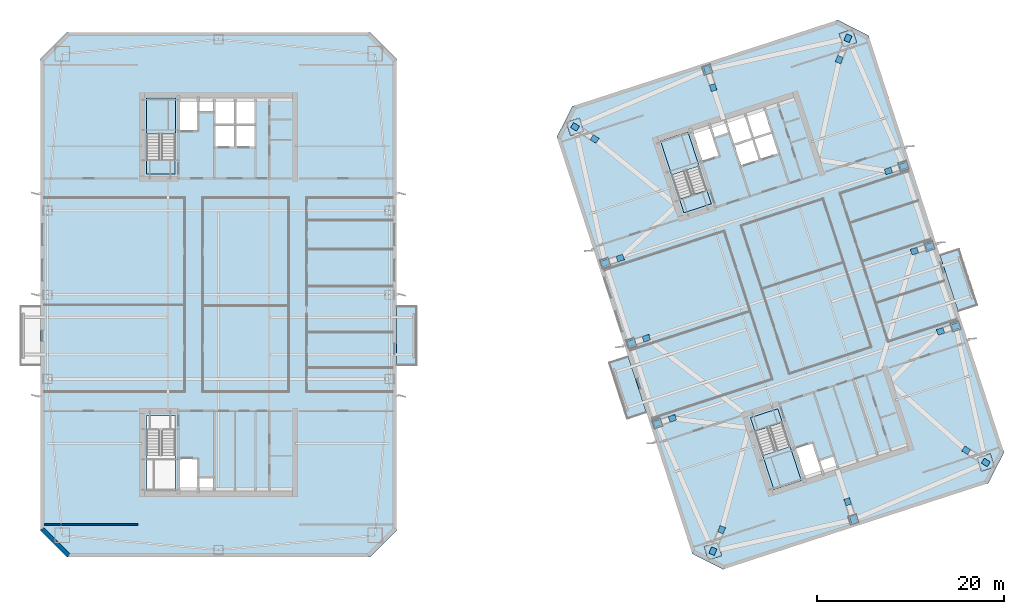
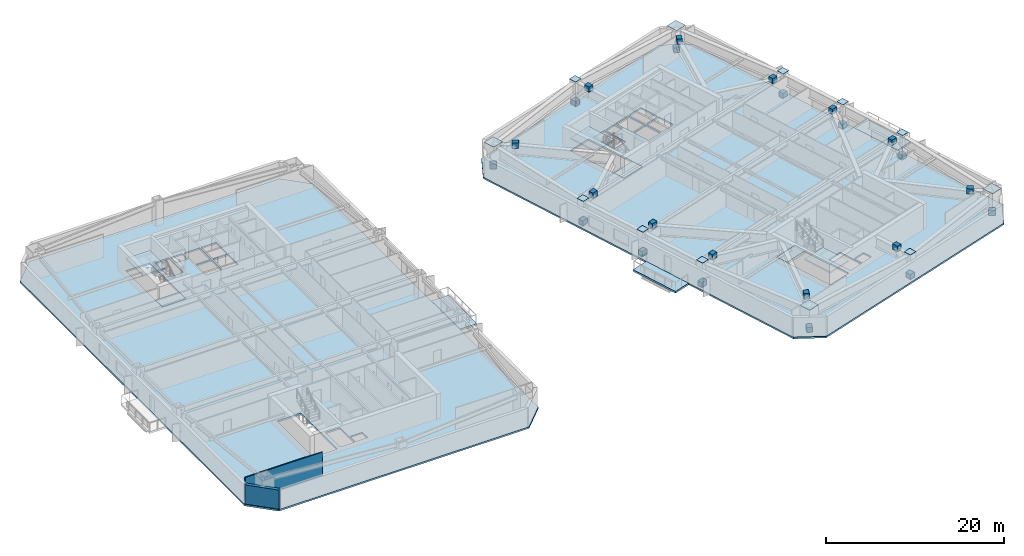
# One storey, part 4 of 17: 36 plates, 11 slabs, 2 walls, 3 elements without a shape of their own.
"""IFC4 building model written with IfcOpenShell, lengths in metres."""

from ifc_helpers import new_model, si_unit, direction, frame, frame_2d, origin, origin_2d, place, context, subcontext, project, spatial, polyline, rectangle, outline, extrude, material, layer, layer_set, type_object, element, aggregate, save


model = new_model("IFC4")

# Units and contexts
model_context = context("Model", 3, precision=1e-05, world=origin(), true_north=direction((0.0, 1.0)))
body_context = subcontext(model_context, "Body", "Model", "MODEL_VIEW")
ifc_project = project(units=[si_unit("LENGTHUNIT", "METRE"), si_unit("AREAUNIT", "SQUARE_METRE"), si_unit("VOLUMEUNIT", "CUBIC_METRE"), si_unit("PLANEANGLEUNIT", "RADIAN"), si_unit("MASSUNIT", "GRAM", prefix="KILO")], contexts=[model_context])

# Site, building, storey
site_placement = place(None, origin())
site = spatial("IfcSite", under=ifc_project, at=site_placement, CompositionType="ELEMENT")
building_placement = place(site_placement, origin())
building = spatial("IfcBuilding", under=site, at=building_placement, Name="Qiaolan Cultural Towers", CompositionType="ELEMENT")
storey_placement = place(building_placement, frame((0.0, 0.0, 131.10009765625)))
storey = spatial("IfcBuildingStorey", under=building, at=storey_placement, Name="L34", CompositionType="ELEMENT", Elevation=131.10009765625)

# Plates
ifc_material_1 = material(Name="Steel Q355B", Category="steel")
ifc_layer_1 = layer(ifc_material_1, 0.035888671875)
ifc_layer_set_1 = layer_set([ifc_layer_1], Name="Steel Q355B")
plate_type_1 = type_object("IfcPlateType", Name="PL-CONN-36", PredefinedType="USERDEFINED", material=ifc_layer_set_1)
for number, where, z_axis, x_axis, name in (
    (1, (82.79052734375, 6.611572265625, -0.0703125), (0.0, 0.0, 1.0), (0.375785890599, 0.926706514721, 0.0), "L34 Brace End Connection Gusset Plate GP-02-0100"),
    (2, (83.71875, 8.900634765625, 2.85986328125), (0.0, 0.0, 1.0), (0.375785890599, 0.926706514721, 0.0), "L34 Brace End Connection Gusset Plate GP-02-0101"),
    (3, (111.930908203125, 16.080078125, -0.0703125), (0.0, 0.0, 1.0), (-0.848721520458, 0.528840033197, 0.0), "L34 Brace End Connection Gusset Plate GP-02-0102"),
    (4, (109.834716796875, 17.38623046875, 2.85986328125), (0.0, 0.0, 1.0), (-0.848721520458, 0.528840033197, 0.0), "L34 Brace End Connection Gusset Plate GP-02-0103"),
    (5, (97.20947265625, 61.388427734375, -0.0703125), (0.0, 0.0, 1.0), (0.375785890599, 0.926706514721, 0.0), "L34 Brace End Connection Gusset Plate GP-02-0104"),
    (6, (96.28125, 59.099365234375, 2.85986328125), (0.0, 0.0, 1.0), (0.375785890599, 0.926706514721, 0.0), "L34 Brace End Connection Gusset Plate GP-02-0105"),
    (7, (68.069091796875, 51.919921875, -0.0703125), (0.0, 0.0, 1.0), (-0.848721520458, 0.528840033197, 0.0), "L34 Brace End Connection Gusset Plate GP-02-0106"),
    (8, (70.165283203125, 50.61376953125, 2.85986328125), (0.0, 0.0, 1.0), (-0.848721520458, 0.528840033197, 0.0), "L34 Brace End Connection Gusset Plate GP-02-0107"),
    (9, (76.85107421875, 20.264404296875, -0.0703125), (0.0, 0.0, 1.0), (0.951056494722, 0.309017060771, 0.0), "L34 Brace End Connection Gusset Plate GP-02-0108"),
    (10, (78.4677734375, 20.789794921875, 2.85986328125), (0.0, 0.0, 1.0), (0.951056494722, 0.309017060771, 0.0), "L34 Brace End Connection Gusset Plate GP-02-0109"),
    (11, (74.06982421875, 28.823974609375, -0.0703125), (0.0, 0.0, 1.0), (0.951056494722, 0.309017060771, 0.0), "L34 Brace End Connection Gusset Plate GP-02-0110"),
    (12, (75.6865234375, 29.349365234375, 2.85986328125), (0.0, 0.0, 1.0), (0.951056494722, 0.309017060771, 0.0), "L34 Brace End Connection Gusset Plate GP-02-0111"),
    (13, (71.28857421875, 37.383544921875, -0.0703125), (0.0, 0.0, 1.0), (0.951056494722, 0.309017060771, 0.0), "L34 Brace End Connection Gusset Plate GP-02-0112"),
    (14, (72.905517578125, 37.90869140625, 2.85986328125), (0.0, 0.0, 1.0), (0.951056494722, 0.309017060771, 0.0), "L34 Brace End Connection Gusset Plate GP-02-0113"),
    (15, (108.71142578125, 30.616455078125, -0.0703125), (0.0, 0.0, 1.0), (0.951056494722, 0.309017060771, 0.0), "L34 Brace End Connection Gusset Plate GP-02-0114"),
    (16, (107.094482421875, 30.09130859375, 2.85986328125), (0.0, 0.0, 1.0), (0.951056494722, 0.309017060771, 0.0), "L34 Brace End Connection Gusset Plate GP-02-0115"),
    (17, (105.93017578125, 39.176025390625, -0.0703125), (0.0, 0.0, 1.0), (0.951056494722, 0.309017060771, 0.0), "L34 Brace End Connection Gusset Plate GP-02-0116"),
    (18, (104.3134765625, 38.650634765625, 2.85986328125), (0.0, 0.0, 1.0), (0.951056494722, 0.309017060771, 0.0), "L34 Brace End Connection Gusset Plate GP-02-0117"),
    (19, (103.14892578125, 47.735595703125, -0.0703125), (0.0, 0.0, 1.0), (0.951056494722, 0.309017060771, 0.0), "L34 Brace End Connection Gusset Plate GP-02-0118"),
    (20, (101.5322265625, 47.210205078125, 2.85986328125), (0.0, 0.0, 1.0), (0.951056494722, 0.309017060771, 0.0), "L34 Brace End Connection Gusset Plate GP-02-0119"),
    (21, (97.802734375, 9.98583984375, -0.0703125), (0.0, 0.0, 1.0), (-0.309017010974, 0.951056510902, 0.0), "L34 Brace End Connection Gusset Plate GP-02-0120"),
    (22, (97.1845703125, 11.887939453125, 2.85986328125), (0.0, 0.0, 1.0), (-0.309017010974, 0.951056510902, 0.0), "L34 Brace End Connection Gusset Plate GP-02-0121"),
    (23, (82.197265625, 58.01416015625, -0.0703125), (0.0, 0.0, 1.0), (-0.309017010974, 0.951056510902, 0.0), "L34 Brace End Connection Gusset Plate GP-02-0122"),
    (24, (82.8154296875, 56.112060546875, 2.85986328125), (0.0, 0.0, 1.0), (-0.309017010974, 0.951056510902, 0.0), "L34 Brace End Connection Gusset Plate GP-02-0123"),
):
    element("IfcPlate", number, at=place(storey_placement, frame(where, z_axis=z_axis, x_axis=x_axis)), inside=storey, type_object=plate_type_1, Name=name, ObjectType="GUSSET_PLATE", PredefinedType="USERDEFINED", context=body_context, shape_type="SweptSolid", body=[
        extrude(rectangle(XDim=0.739990234375, YDim=0.6201171875, at=origin_2d()), origin(), (0.0, 0.0, 1.0), 0.739990234375),
    ])
ifc_material_2 = material(Name="Steel Q355B", Category="steel")
ifc_layer_2 = layer(ifc_material_2, 0.030029296875)
ifc_layer_set_2 = layer_set([ifc_layer_2], Name="Steel Q355B")
plate_type_2 = type_object("IfcPlateType", Name="PL-ENDCAP-30", PredefinedType="USERDEFINED", material=ifc_layer_set_2)
for number, where, z_axis, x_axis, name in (
    (25, (82.79052734375, 6.611572265625, 3.45068359375), (0.0, 0.0, 1.0), (0.951056516295, 0.309016994375, 0.0), "Tower Box Column Transition Seal Cap Plate CP-01"),
    (26, (111.930908203125, 16.080078125, 3.45068359375), (0.0, 0.0, 1.0), (0.951056516295, 0.309016994375, 0.0), "Tower Box Column Transition Seal Cap Plate CP-01"),
    (27, (97.20947265625, 61.388427734375, 3.45068359375), (0.0, 0.0, 1.0), (0.951056516295, 0.309016994375, 0.0), "Tower Box Column Transition Seal Cap Plate CP-01"),
    (28, (68.069091796875, 51.919921875, 3.45068359375), (0.0, 0.0, 1.0), (0.951056516295, 0.309016994375, 0.0), "Tower Box Column Transition Seal Cap Plate CP-01"),
):
    element("IfcPlate", number, at=place(storey_placement, frame(where, z_axis=z_axis, x_axis=x_axis)), inside=storey, type_object=plate_type_2, Name=name, ObjectType="BASE_PLATE", PredefinedType="USERDEFINED", context=body_context, shape_type="SweptSolid", body=[
        extrude(rectangle(XDim=1.489990234375, YDim=1.489990234375, at=origin_2d()), origin(), (0.0, 0.0, 1.0), 0.030029296875),
    ])
for number, where, z_axis, x_axis, name in (
    (29, (76.85107421875, 20.264404296875, 3.45068359375), (0.0, 0.0, 1.0), (0.951056516295, 0.309016994375, 0.0), "Tower Box Column Transition Seal Cap Plate CP-01"),
    (30, (74.06982421875, 28.823974609375, 3.45068359375), (0.0, 0.0, 1.0), (0.951056516295, 0.309016994375, 0.0), "Tower Box Column Transition Seal Cap Plate CP-01"),
    (31, (71.28857421875, 37.383544921875, 3.45068359375), (0.0, 0.0, 1.0), (0.951056516295, 0.309016994375, 0.0), "Tower Box Column Transition Seal Cap Plate CP-01"),
    (32, (108.71142578125, 30.616455078125, 3.45068359375), (0.0, 0.0, 1.0), (0.951056516295, 0.309016994375, 0.0), "Tower Box Column Transition Seal Cap Plate CP-01"),
    (33, (105.93017578125, 39.176025390625, 3.45068359375), (0.0, 0.0, 1.0), (0.951056516295, 0.309016994375, 0.0), "Tower Box Column Transition Seal Cap Plate CP-01"),
    (34, (103.14892578125, 47.735595703125, 3.45068359375), (0.0, 0.0, 1.0), (0.951056516295, 0.309016994375, 0.0), "Tower Box Column Transition Seal Cap Plate CP-01"),
    (35, (97.802734375, 9.98583984375, 3.45068359375), (0.0, 0.0, 1.0), (0.951056516295, 0.309016994375, 0.0), "Tower Box Column Transition Seal Cap Plate CP-01"),
    (36, (82.197265625, 58.01416015625, 3.45068359375), (0.0, 0.0, 1.0), (0.951056516295, 0.309016994375, 0.0), "Tower Box Column Transition Seal Cap Plate CP-01"),
):
    element("IfcPlate", number, at=place(storey_placement, frame(where, z_axis=z_axis, x_axis=x_axis)), inside=storey, type_object=plate_type_2, Name=name, ObjectType="BASE_PLATE", PredefinedType="USERDEFINED", context=body_context, shape_type="SweptSolid", body=[
        extrude(rectangle(XDim=0.93994140625, YDim=0.93994140625, at=origin_2d()), origin(), (0.0, 0.0, 1.0), 0.030029296875),
    ])

# Slabs
ifc_material_3 = material(Name="Concrete C45", Category="concrete")
ifc_layer_3 = layer(ifc_material_3, 0.239990234375)
ifc_layer_set_3 = layer_set([ifc_layer_3], Name="Concrete C45")
slab_type_1 = type_object("IfcSlabType", Name="SL-BAL-240", PredefinedType="FLOOR", material=ifc_layer_set_3)
slab_1_placement = place(storey_placement, frame((0.0, 0.0, -0.239990234375)))
element("IfcSlab", 37, at=slab_1_placement, inside=storey, type_object=slab_type_1, Name="L34 T1 Planted Tree Balcony E", PredefinedType="FLOOR", context=body_context, shape_type="SweptSolid", body=[
    extrude(outline(polyline([(49.0, 26.39990234375), (51.199951171875, 26.39990234375), (51.199951171875, 32.800048828125), (49.0, 32.800048828125), (49.0, 26.39990234375)])), origin(), (0.0, 0.0, 1.0), 0.239990234375),
])
slab_2_placement = place(storey_placement, frame((0.0, 0.0, -0.239990234375)))
element("IfcSlab", 38, at=slab_2_placement, inside=storey, type_object=slab_type_1, Name="L34 T2 Planted Tree Balcony W", PredefinedType="FLOOR", context=body_context, shape_type="SweptSolid", body=[
    extrude(outline(polyline([(73.61279296875, 20.684326171875), (75.705078125, 21.3642578125), (73.727294921875, 27.450927734375), (71.635009765625, 26.77099609375), (73.61279296875, 20.684326171875)])), origin(), (0.0, 0.0, 1.0), 0.239990234375),
])
slab_3_placement = place(storey_placement, frame((0.0, 0.0, -0.239990234375)))
element("IfcSlab", 39, at=slab_3_placement, inside=storey, type_object=slab_type_1, Name="L34 T2 Planted Tree Balcony E", PredefinedType="FLOOR", context=body_context, shape_type="SweptSolid", body=[
    extrude(outline(polyline([(108.991943359375, 32.1796875), (111.084228515625, 32.859619140625), (109.106689453125, 38.9462890625), (107.014404296875, 38.2666015625), (108.991943359375, 32.1796875)])), origin(), (0.0, 0.0, 1.0), 0.239990234375),
])

# Stair, slab
ifc_material_4 = material(Name="Concrete C45", Category="concrete")
stair_type = type_object("IfcStairType", Name="STR-CORE-1500", PredefinedType="HALF_TURN_STAIR", material=ifc_material_4)
stair_1_placement = place(storey_placement, origin())
stair_1 = element("IfcStair", 40, at=stair_1_placement, inside=storey, type_object=stair_type, Name="L34 Smokeproof Exit Stair ST-W2", PredefinedType="HALF_TURN_STAIR")
ifc_material_5 = material(Name="Concrete C45", Category="concrete")
ifc_layer_4 = layer(ifc_material_5, 0.199951171875)
ifc_layer_set_4 = layer_set([ifc_layer_4], Name="Concrete C45")
slab_type_2 = type_object("IfcSlabType", Name="SL-STAIR-LAND", PredefinedType="LANDING", material=ifc_layer_set_4)
slab_4_placement = place(storey_placement, frame((0.0, 0.0, 1.52490234375)))
slab_4 = element("IfcSlab", 41, at=slab_4_placement, type_object=slab_type_2, Name="ST-W2 landing 1", PredefinedType="LANDING", context=body_context, shape_type="SweptSolid", body=[
    extrude(outline(polyline([(25.3798828125, 51.148681640625), (25.3798828125, 55.0), (22.300048828125, 55.0), (22.300048828125, 51.148681640625), (25.3798828125, 51.148681640625)])), origin(), (0.0, 0.0, 1.0), 0.199951171875),
])
aggregate(stair_1, [slab_4])

stair_2_placement = place(storey_placement, origin())
stair_2 = element("IfcStair", 42, at=stair_2_placement, inside=storey, type_object=stair_type, Name="L34 Smokeproof Exit Stair ST-E1", PredefinedType="HALF_TURN_STAIR")
slab_5_placement = place(storey_placement, frame((0.0, 0.0, 1.52490234375)))
slab_5 = element("IfcSlab", 43, at=slab_5_placement, type_object=slab_type_2, Name="ST-E1 landing 1", PredefinedType="LANDING", context=body_context, shape_type="SweptSolid", body=[
    extrude(outline(polyline([(88.114013671875, 16.828125), (89.30419921875, 13.165283203125), (92.2333984375, 14.116943359375), (91.04345703125, 17.77978515625), (88.114013671875, 16.828125)])), origin(), (0.0, 0.0, 1.0), 0.199951171875),
])
aggregate(stair_2, [slab_5])

stair_3_placement = place(storey_placement, origin())
stair_3 = element("IfcStair", 44, at=stair_3_placement, inside=storey, type_object=stair_type, Name="L34 Smokeproof Exit Stair ST-E2", PredefinedType="HALF_TURN_STAIR")
slab_6_placement = place(storey_placement, frame((0.0, 0.0, 1.52490234375)))
slab_6 = element("IfcSlab", 45, at=slab_6_placement, type_object=slab_type_2, Name="ST-E2 landing 1", PredefinedType="LANDING", context=body_context, shape_type="SweptSolid", body=[
    extrude(outline(polyline([(81.31005859375, 47.735595703125), (80.1201171875, 51.3984375), (77.190673828125, 50.44677734375), (78.380859375, 46.783935546875), (81.31005859375, 47.735595703125)])), origin(), (0.0, 0.0, 1.0), 0.199951171875),
])
aggregate(stair_3, [slab_6])

# Slabs
ifc_material_6 = material(Name="Concrete C40", Category="concrete")
ifc_layer_5 = layer(ifc_material_6, 0.360107421875)
ifc_layer_set_5 = layer_set([ifc_layer_5], Name="Concrete C40")
slab_type_3 = type_object("IfcSlabType", Name="SL-STFLR-360", PredefinedType="LANDING", material=ifc_layer_set_5)
slab_7_placement = place(storey_placement, frame((0.0, 0.0, -0.360107421875)))
element("IfcSlab", 46, at=slab_7_placement, inside=storey, type_object=slab_type_3, Name="L34 ST-W2 Stair Floor Landing Slab", PredefinedType="LANDING", context=body_context, shape_type="SweptSolid", body=[
    extrude(outline(polyline([(25.3779296875, 46.902099609375), (25.3779296875, 48.451416015625), (22.302001953125, 48.451416015625), (22.302001953125, 46.902099609375), (25.3779296875, 46.902099609375)])), origin(), (0.0, 0.0, 1.0), 0.360107421875),
])
slab_8_placement = place(storey_placement, frame((0.0, 0.0, -0.360107421875)))
element("IfcSlab", 47, at=slab_8_placement, inside=storey, type_object=slab_type_3, Name="L34 ST-E1 Stair Floor Landing Slab", PredefinedType="LANDING", context=body_context, shape_type="SweptSolid", body=[
    extrude(outline(polyline([(86.8037109375, 20.867431640625), (87.282470703125, 19.39404296875), (90.2080078125, 20.3447265625), (89.729248046875, 21.818115234375), (86.8037109375, 20.867431640625)])), origin(), (0.0, 0.0, 1.0), 0.360107421875),
])
slab_9_placement = place(storey_placement, frame((0.0, 0.0, -0.360107421875)))
element("IfcSlab", 48, at=slab_9_placement, inside=storey, type_object=slab_type_3, Name="L34 ST-E2 Stair Floor Landing Slab", PredefinedType="LANDING", context=body_context, shape_type="SweptSolid", body=[
    extrude(outline(polyline([(82.62060546875, 43.6962890625), (82.141845703125, 45.169677734375), (79.21630859375, 44.21923828125), (79.695068359375, 42.74560546875), (82.62060546875, 43.6962890625)])), origin(), (0.0, 0.0, 1.0), 0.360107421875),
])
ifc_material_7 = material(Name="Concrete C45", Category="concrete")
ifc_layer_6 = layer(ifc_material_7, 0.219970703125)
ifc_layer_set_6 = layer_set([ifc_layer_6], Name="Concrete C45")
slab_type_4 = type_object("IfcSlabType", Name="SL-TYP-220", PredefinedType="FLOOR", material=ifc_layer_set_6)
slab_10_placement = place(storey_placement, frame((0.0, 0.0, -0.22021484375)))
element("IfcSlab", 49, at=slab_10_placement, inside=storey, type_object=slab_type_4, Name="L34 West Tower Floor Slab", PredefinedType="FLOOR", context=body_context, shape_type="SweptSolid", body=[
    extrude(outline(polyline([(13.800048828125, 6.0), (46.199951171875, 6.0), (49.0, 8.800048828125), (49.0, 59.199951171875), (46.199951171875, 62.0), (13.800048828125, 62.0), (11.0, 59.199951171875), (11.0, 8.800048828125), (13.800048828125, 6.0)]), holes=[polyline([(22.300048828125, 21.10009765625), (22.300048828125, 13.0), (25.3798828125, 13.0), (25.3798828125, 21.10009765625), (22.300048828125, 21.10009765625)]), polyline([(25.3798828125, 46.89990234375), (25.3798828125, 55.0), (22.300048828125, 55.0), (22.300048828125, 46.89990234375), (25.3798828125, 46.89990234375)]), polyline([(25.89990234375, 13.199951171875), (27.75, 13.199951171875), (27.75, 16.449951171875), (25.89990234375, 16.449951171875), (25.89990234375, 13.199951171875)]), polyline([(27.93994140625, 13.25), (29.449951171875, 13.25), (29.449951171875, 14.419921875), (27.93994140625, 14.419921875), (27.93994140625, 13.25)]), polyline([(25.89990234375, 51.550048828125), (27.75, 51.550048828125), (27.75, 54.800048828125), (25.89990234375, 54.800048828125), (25.89990234375, 51.550048828125)]), polyline([(27.93994140625, 53.580078125), (29.449951171875, 53.580078125), (29.449951171875, 54.75), (27.93994140625, 54.75), (27.93994140625, 53.580078125)]), polyline([(29.679931640625, 49.820068359375), (31.679931640625, 49.820068359375), (31.679931640625, 52.080078125), (29.679931640625, 52.080078125), (29.679931640625, 49.820068359375)]), polyline([(31.8798828125, 49.820068359375), (33.820068359375, 49.820068359375), (33.820068359375, 52.080078125), (31.8798828125, 52.080078125), (31.8798828125, 49.820068359375)]), polyline([(29.679931640625, 52.27001953125), (31.659912109375, 52.27001953125), (31.659912109375, 54.75), (29.679931640625, 54.75), (29.679931640625, 52.27001953125)]), polyline([(31.8798828125, 52.27001953125), (33.820068359375, 52.27001953125), (33.820068359375, 54.75), (31.8798828125, 54.75), (31.8798828125, 52.27001953125)])]), origin(), (0.0, 0.0, 1.0), 0.22021484375),
])
slab_11_placement = place(storey_placement, frame((0.0, 0.0, -0.22021484375)))
element("IfcSlab", 50, at=slab_11_placement, inside=storey, type_object=slab_type_4, Name="L34 East Tower Floor Slab", PredefinedType="FLOOR", context=body_context, shape_type="SweptSolid", body=[
    extrude(outline(polyline([(83.86376953125, 4.668212890625), (112.205078125, 13.876953125), (113.87451171875, 17.153076171875), (99.41259765625, 61.66259765625), (96.13623046875, 63.331787109375), (67.794921875, 54.123046875), (66.12548828125, 50.846923828125), (80.58740234375, 6.33740234375), (83.86376953125, 4.668212890625)]), holes=[polyline([(86.80126953125, 20.868896484375), (89.30419921875, 13.165283203125), (92.2333984375, 14.116943359375), (89.73046875, 21.820556640625), (86.80126953125, 20.868896484375)]), polyline([(82.623046875, 43.69482421875), (80.1201171875, 51.3984375), (77.190673828125, 50.44677734375), (79.69384765625, 42.7431640625), (82.623046875, 43.69482421875)]), polyline([(92.666259765625, 14.468017578125), (94.42578125, 15.03955078125), (93.42138671875, 18.130615234375), (91.661865234375, 17.558837890625), (92.666259765625, 14.468017578125)]), polyline([(94.5908203125, 15.14599609375), (96.027099609375, 15.612548828125), (95.66552734375, 16.725341796875), (94.2294921875, 16.258544921875), (94.5908203125, 15.14599609375)]), polyline([(81.6806640625, 48.278076171875), (83.440185546875, 48.849609375), (82.435791015625, 51.940673828125), (80.67626953125, 51.368896484375), (81.6806640625, 48.278076171875)]), polyline([(82.993408203125, 50.839111328125), (84.4296875, 51.3056640625), (84.068115234375, 52.41845703125), (82.632080078125, 51.95166015625), (82.993408203125, 50.839111328125)]), polyline([(85.810302734375, 47.80078125), (87.71240234375, 48.418701171875), (87.013916015625, 50.568115234375), (85.11181640625, 49.9501953125), (85.810302734375, 47.80078125)]), polyline([(87.902587890625, 48.480712890625), (89.74755859375, 49.080078125), (89.04931640625, 51.2294921875), (87.2041015625, 50.6298828125), (87.902587890625, 48.480712890625)]), polyline([(85.05322265625, 50.130859375), (86.936279296875, 50.74267578125), (86.169921875, 53.101318359375), (84.286865234375, 52.489501953125), (85.05322265625, 50.130859375)]), polyline([(87.1455078125, 50.810791015625), (88.990478515625, 51.41015625), (88.22412109375, 53.768798828125), (86.379150390625, 53.169189453125), (87.1455078125, 50.810791015625)])]), origin(), (0.0, 0.0, 1.0), 0.22021484375),
])

# Walls
ifc_material_8 = material(Name="Precast Concrete C50 Honed Stone Pier", Category="masonry")
ifc_layer_7 = layer(ifc_material_8, 0.39990234375)
ifc_layer_set_7 = layer_set([ifc_layer_7], Name="Precast Concrete C50 Honed Stone Pier")
wall_type_1 = type_object("IfcWallType", Name="WL-EXT-PIER-400", PredefinedType="SOLIDWALL", material=ifc_layer_set_7)
wall_1_placement = place(storey_placement, frame((14.0, 6.199951171875, 0.0), z_axis=(0.0, 0.0, 1.0), x_axis=(-0.707106781187, 0.707106781187, 0.0)))
element("IfcWall", 51, at=wall_1_placement, inside=storey, type_object=wall_type_1, Name="L34 West Tower Precast Pier Facade Wall F8", PredefinedType="SOLIDWALL", context=body_context, shape_type="SweptSolid", body=[
    extrude(rectangle(XDim=3.9599609375, YDim=0.39990234375, at=frame_2d((1.97998046875, 0.0))), origin(), (0.0, 0.0, 1.0), 2.60986328125),
])
ifc_material_9 = material(Name="Autoclaved Aerated Concrete Block B06", Category="concrete")
ifc_layer_8 = layer(ifc_material_9, 0.14990234375)
ifc_layer_set_8 = layer_set([ifc_layer_8], Name="Autoclaved Aerated Concrete Block B06")
wall_type_2 = type_object("IfcWallType", Name="WL-PART-150", PredefinedType="PARTITIONING", material=ifc_layer_set_8)
wall_2_placement = place(storey_placement, frame((11.39990234375, 9.449951171875, 0.0), z_axis=(0.0, 0.0, 1.0), x_axis=(1.0, 0.0, 0.0)))
element("IfcWall", 52, at=wall_2_placement, inside=storey, type_object=wall_type_2, Name="L34 T1 Flank Wall FLK-SW", PredefinedType="PARTITIONING", context=body_context, shape_type="SweptSolid", body=[
    extrude(rectangle(XDim=10.0, YDim=0.14990234375, at=frame_2d((5.0, 0.0))), origin(), (0.0, 0.0, 1.0), 3.1748046875),
])

save(model, "model.ifc")
